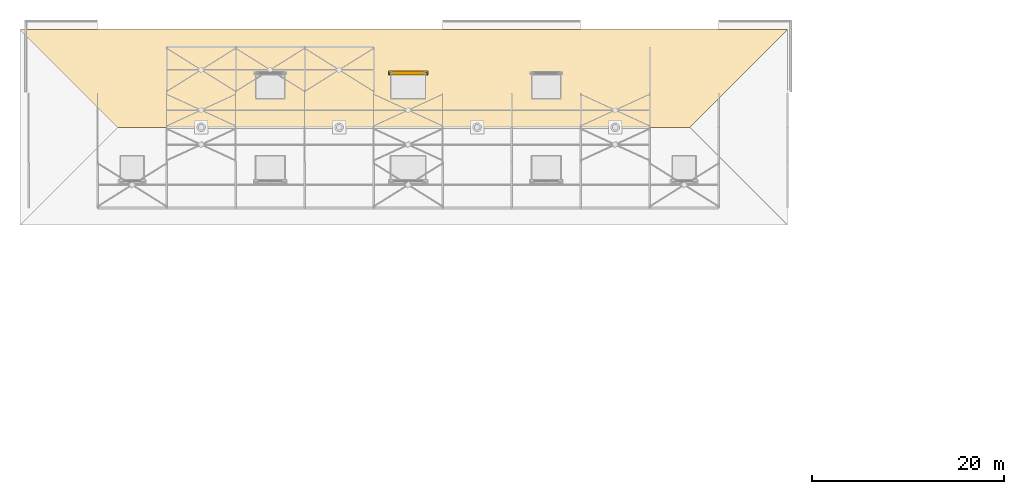
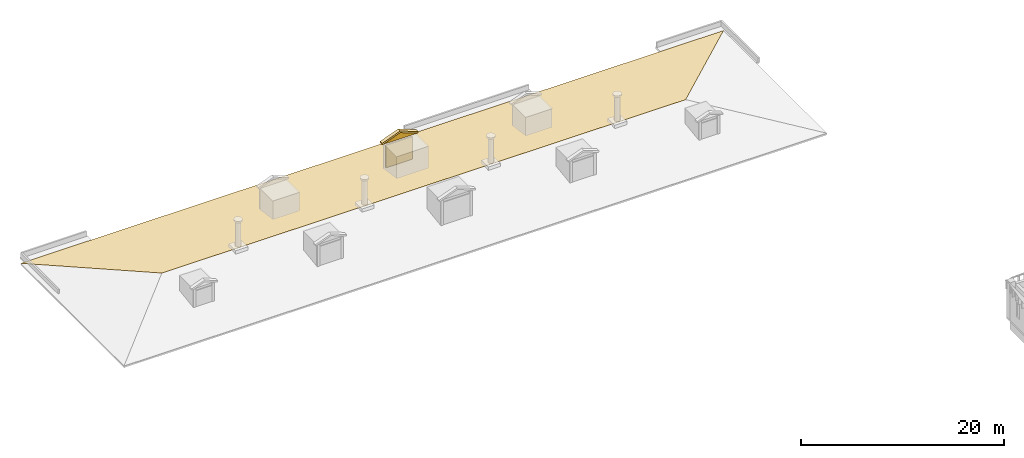
# One storey, part 21 of 24: 3 coverings, 1 shading device.
"""IFC4 building model written with IfcOpenShell, lengths in metres."""

import ifcopenshell
import ifcopenshell.guid

model = None  # the IFC model being written
_history = None  # IfcOwnerHistory: only IFC2X3 demands one
_inside = {}  # id of a spatial element -> (the spatial element, [elements in it])
_under = {}  # id of a project, library or spatial element -> (it, [spatial elements below it])
_declared = {}  # id of a project -> (the project, [libraries it declares])
_typed = {}  # id of a type object -> (the type object, [elements of that type])
_made_of = {}  # id of a material, layer set ... -> (it, [elements and type objects made of it])


def new_model(schema):
    """Start an empty IFC model of exactly this schema.

    Asked for "IFC4X3", IfcOpenShell would pick the latest addendum, in which some entities
    have other attributes; the version numbers below select the first issue.
    IFC2X3 requires an IfcOwnerHistory on every rooted entity: one is made here for all.
    """
    global model, _history
    if schema == "IFC4X3":
        model = ifcopenshell.file(schema_version=(4, 3, 0, 0))
    else:
        model = ifcopenshell.file(schema=schema)
    _inside.clear()
    _under.clear()
    _declared.clear()
    _typed.clear()
    _made_of.clear()
    _history = None
    if model.schema == "IFC2X3":
        org = make("IfcOrganization", Name="unknown")
        user = make(
            "IfcPersonAndOrganization",
            ThePerson=make("IfcPerson", FamilyName="unknown"),
            TheOrganization=org,
        )
        app = make(
            "IfcApplication",
            ApplicationDeveloper=org,
            Version="unknown",
            ApplicationFullName="unknown",
            ApplicationIdentifier="unknown",
        )
        _history = make(
            "IfcOwnerHistory",
            OwningUser=user,
            OwningApplication=app,
            ChangeAction="ADDED",
            CreationDate=0,
        )
    return model


def make(cls, **values):
    """One entity of the class cls with the attributes given. An attribute that is None is left unset."""
    return model.create_entity(
        cls, **{name: value for name, value in values.items() if value is not None}
    )


def rooted(cls, **values):
    """An entity with a GlobalId (a new one), such as an element, a storey or a relation."""
    return make(cls, GlobalId=ifcopenshell.guid.new(), OwnerHistory=_history, **values)


def si_unit(unit_type, name, prefix=None):
    """IfcSIUnit, for example si_unit("LENGTHUNIT", "METRE", prefix="MILLI")."""
    return make("IfcSIUnit", UnitType=unit_type, Prefix=prefix, Name=name)


def assignment(units):
    """IfcUnitAssignment: the units of a project."""
    return None if units is None else make("IfcUnitAssignment", Units=units)


def point(xyz):
    """IfcCartesianPoint."""
    return None if xyz is None else make("IfcCartesianPoint", Coordinates=xyz)


def direction(xyz):
    """IfcDirection."""
    return None if xyz is None else make("IfcDirection", DirectionRatios=xyz)


def frame(location, z_axis=None, x_axis=None):
    """IfcAxis2Placement3D, a coordinate frame: its origin and axes. An axis left out is left unset."""
    return make(
        "IfcAxis2Placement3D",
        Location=point(location),
        Axis=direction(z_axis),
        RefDirection=direction(x_axis),
    )


def frame_2d(location, x_axis=None):
    """IfcAxis2Placement2D, a coordinate frame in the plane: its origin and x axis."""
    return make(
        "IfcAxis2Placement2D", Location=point(location), RefDirection=direction(x_axis)
    )


def origin():
    """The frame at (0, 0, 0) with its axes left unset."""
    return frame((0.0, 0.0, 0.0))


def origin_2d():
    """The frame at (0, 0) in the plane with its x axis left unset."""
    return frame_2d((0.0, 0.0))


def place(relative_to, where):
    """IfcLocalPlacement: puts the frame where relative to a parent placement (None: the world)."""
    return make(
        "IfcLocalPlacement", PlacementRelTo=relative_to, RelativePlacement=where
    )


def context(
    kind, dimensions, precision=None, world=None, true_north=None, identifier=None
):
    """IfcGeometricRepresentationContext, for example the 3D "Model" context."""
    return make(
        "IfcGeometricRepresentationContext",
        ContextIdentifier=identifier,
        ContextType=kind,
        CoordinateSpaceDimension=dimensions,
        Precision=precision,
        WorldCoordinateSystem=world,
        TrueNorth=true_north,
    )


def subcontext(parent, identifier, kind, view, scale=None):
    """IfcGeometricRepresentationSubContext, for example "Body" below "Model"."""
    return make(
        "IfcGeometricRepresentationSubContext",
        ContextIdentifier=identifier,
        ContextType=kind,
        ParentContext=parent,
        TargetScale=scale,
        TargetView=view,
    )


def project(units=None, contexts=None):
    """IfcProject with its units and contexts."""
    return rooted(
        "IfcProject",
        Name="project",
        RepresentationContexts=contexts,
        UnitsInContext=assignment(units),
    )


def spatial(cls, under=None, at=None, **own):
    """A site, building, storey or space (cls), placed at a placement, below another one or the project."""
    s = rooted(cls, ObjectPlacement=at, **own)
    if under is not None:
        _under.setdefault(under.id(), (under, []))[1].append(s)
    return s


def polyline(points):
    """IfcPolyline through the points."""
    return make("IfcPolyline", Points=[point(p) for p in points])


def profile(cls, at=None, kind="AREA", **sizes):
    """A parametric profile (cls). Its sizes go by their IFC names, for example OverallWidth=200.0."""
    return make(cls, ProfileType=kind, Position=at, **sizes)


def rectangle(**sizes):
    """IfcRectangleProfileDef."""
    return profile("IfcRectangleProfileDef", **sizes)


def outline(outer, holes=None, kind="AREA"):
    """IfcArbitraryClosedProfileDef: a profile drawn as a closed curve; with holes, ...WithVoids."""
    if holes is None:
        return make("IfcArbitraryClosedProfileDef", ProfileType=kind, OuterCurve=outer)
    return make(
        "IfcArbitraryProfileDefWithVoids",
        ProfileType=kind,
        OuterCurve=outer,
        InnerCurves=holes,
    )


def extrude(swept, where, along, depth):
    """IfcExtrudedAreaSolid: the profile swept, set in the frame where, extruded along a direction by depth."""
    return make(
        "IfcExtrudedAreaSolid",
        SweptArea=swept,
        Position=where,
        ExtrudedDirection=direction(along),
        Depth=depth,
    )


def shape(context_of_items, identifier, shape_type, items):
    """IfcShapeRepresentation: the items that make up one representation, for example the "Body"."""
    return make(
        "IfcShapeRepresentation",
        ContextOfItems=context_of_items,
        RepresentationIdentifier=identifier,
        RepresentationType=shape_type,
        Items=items,
    )


def material(Name=None, Category=None):
    """IfcMaterial."""
    return make("IfcMaterial", Name=Name, Category=Category)


def layer(
    of_material, thickness, ventilated=None, Name=None, Category=None, Priority=None
):
    """IfcMaterialLayer: one layer of a wall or slab, of a material (None: an air gap)."""
    return make(
        "IfcMaterialLayer",
        Material=of_material,
        LayerThickness=thickness,
        IsVentilated=ventilated,
        Name=Name,
        Category=Category,
        Priority=Priority,
    )


def layer_set(layers, Name=None):
    """IfcMaterialLayerSet."""
    return make("IfcMaterialLayerSet", MaterialLayers=layers, LayerSetName=Name)


def made_of(thing, what):
    """Note that an element or type object is made of a material, layer set ...; save() writes the relation."""
    if what is not None:
        _made_of.setdefault(what.id(), (what, []))[1].append(thing)
    return thing


def type_object(cls, material=None, **own):
    """A type object (cls), such as IfcWallType, which elements share."""
    return made_of(rooted(cls, **own), material)


def element(
    cls,
    number,
    at=None,
    inside=None,
    cuts=None,
    type_object=None,
    material=None,
    context=None,
    identifier="Body",
    shape_type=None,
    held_by="IfcProductDefinitionShape",
    body=None,
    shapes=None,
    **own,
):
    """One element of the class cls, such as IfcWall. Its Tag is "e" and its number.

    at: its placement. inside: the storey or other place that contains it. cuts: it is an
    opening in that element (IfcRelVoidsElement). A single representation is given by context,
    identifier, shape_type and body (its items); several are given by shapes. held_by: the class
    of the entity that holds the representations. save() writes the other relations.
    """
    e = rooted(cls, Tag="e%d" % number, ObjectPlacement=at, **own)
    if body is not None:
        shapes = [shape(context, identifier, shape_type, body)]
    if shapes is not None:
        e.Representation = make(held_by, Representations=shapes)
    if inside is not None:
        _inside.setdefault(inside.id(), (inside, []))[1].append(e)
    if cuts is not None:
        rooted(
            "IfcRelVoidsElement", RelatingBuildingElement=cuts, RelatedOpeningElement=e
        )
    if type_object is not None:
        _typed.setdefault(type_object.id(), (type_object, []))[1].append(e)
    return made_of(e, material)


def aggregate(whole, parts):
    """IfcRelAggregates: a whole, such as a stair, and the parts it consists of."""
    return rooted("IfcRelAggregates", RelatingObject=whole, RelatedObjects=parts)


def save(model, path):
    """Write the relations noted so far, then the file.

    IfcRelAggregates (storeys below a building ...), IfcRelContainedInSpatialStructure (elements
    in a storey), IfcRelDefinesByType, IfcRelAssociatesMaterial and IfcRelDeclares: one each for
    every whole, place, type object, material and project.
    """
    for whole, parts in _under.values():
        aggregate(whole, parts)
    for where, things in _inside.values():
        rooted(
            "IfcRelContainedInSpatialStructure",
            RelatedElements=things,
            RelatingStructure=where,
        )
    for kind, things in _typed.values():
        rooted("IfcRelDefinesByType", RelatedObjects=things, RelatingType=kind)
    for what, things in _made_of.values():
        rooted("IfcRelAssociatesMaterial", RelatedObjects=things, RelatingMaterial=what)
    for by, libraries in _declared.values():
        rooted("IfcRelDeclares", RelatingContext=by, RelatedDefinitions=libraries)
    model.write(path)


model = new_model("IFC4")

# Units and contexts
model_context = context("Model", 3, precision=1e-05, world=origin(), true_north=direction((0.0, 1.0)))
body_context = subcontext(model_context, "Body", "Model", "MODEL_VIEW")
ifc_project = project(units=[si_unit("LENGTHUNIT", "METRE"), si_unit("AREAUNIT", "SQUARE_METRE"), si_unit("VOLUMEUNIT", "CUBIC_METRE"), si_unit("PLANEANGLEUNIT", "RADIAN"), si_unit("MASSUNIT", "GRAM", prefix="KILO")], contexts=[model_context])

# Site, building, storey
site_placement = place(None, origin())
site = spatial("IfcSite", under=ifc_project, at=site_placement, CompositionType="ELEMENT")
building_placement = place(site_placement, origin())
building = spatial("IfcBuilding", under=site, at=building_placement, Name="Ussher Court Research Institute", CompositionType="ELEMENT")
storey_placement = place(building_placement, frame((0.0, 0.0, 32.39990234375)))
storey = spatial("IfcBuildingStorey", under=building, at=storey_placement, Name="L07", CompositionType="ELEMENT", Elevation=32.39990234375)

# Coverings
ifc_material_1 = material(Name="Limestone cornice", Category="masonry")
covering_type_1 = type_object("IfcCoveringType", Name="Dormer raking cornice 4120", PredefinedType="CLADDING", material=ifc_material_1)
covering_1_placement = place(storey_placement, frame((42.60009765625, 85.0400390625, 3.7470703125), z_axis=(0.0, 1.0, 0.0), x_axis=(-1.0, 0.0, 0.0)))
element("IfcCovering", 1, at=covering_1_placement, inside=storey, type_object=covering_type_1, Name="Dormer rake DR36 N2", PredefinedType="CLADDING", context=body_context, shape_type="SweptSolid", body=[
    extrude(outline(polyline([(2.06005859375, 0.0), (2.06005859375, 0.154296875), (0.0, 0.937255859375), (-2.06005859375, 0.154296875), (-2.06005859375, 0.0), (-1.93994140625, 0.0), (0.0, 0.7373046875), (1.93994140625, 0.0), (2.06005859375, 0.0)])), origin(), (0.0, 0.0, 1.0), 0.419921875),
])
ifc_material_2 = material(Name="Limestone cornice", Category="masonry")
covering_type_2 = type_object("IfcCoveringType", Name="Dormer tympanum 3880x737", PredefinedType="CLADDING", material=ifc_material_2)
covering_2_placement = place(storey_placement, frame((42.60009765625, 85.0400390625, 3.7470703125), z_axis=(0.0, 1.0, 0.0), x_axis=(-1.0, 0.0, 0.0)))
element("IfcCovering", 2, at=covering_2_placement, inside=storey, type_object=covering_type_2, Name="Dormer tymp DT36 N2", PredefinedType="CLADDING", context=body_context, shape_type="SweptSolid", body=[
    extrude(outline(polyline([(1.93994140625, 0.0), (0.0, 0.7373046875), (-1.93994140625, 0.0), (1.93994140625, 0.0)])), origin(), (0.0, 0.0, 1.0), 0.300048828125),
])

# Shading device
ifc_material_3 = material(Name="Aluminium louvre", Category="aluminium")
ifc_layer_1 = layer(ifc_material_3, 0.10009765625)
ifc_layer_set_1 = layer_set([ifc_layer_1], Name="Aluminium louvre")
shading_device_type = type_object("IfcShadingDeviceType", Name="Dormer vent louvre 3000x2700", PredefinedType="USERDEFINED", material=ifc_layer_set_1)
shading_device_placement = place(storey_placement, frame((42.60009765625, 85.25, 0.6728515625), z_axis=(0.0, 0.0, 1.0), x_axis=(1.0, 0.0, 0.0)))
element("IfcShadingDevice", 3, at=shading_device_placement, inside=storey, type_object=shading_device_type, Name="Dormer vent louvre DL36 N2", ObjectType="LOUVRE", PredefinedType="USERDEFINED", context=body_context, shape_type="SweptSolid", body=[
    extrude(rectangle(XDim=3.0, YDim=0.10009765625, at=origin_2d()), origin(), (0.0, 0.0, 1.0), 2.714111328125),
])

# Covering
ifc_material_4 = material(Name="Zinc standing seam")
ifc_layer_2 = layer(ifc_material_4, 0.0400390625)
ifc_layer_set_2 = layer_set([ifc_layer_2], Name="Zinc standing seam")
covering_type_3 = type_object("IfcCoveringType", Name="Standing seam zinc covering 40", PredefinedType="ROOFING", material=ifc_layer_set_2)
covering_3_placement = place(storey_placement, frame((82.199951171875, 89.800048828125, 0.04052734375), z_axis=(0.0, 0.139157864072, 0.990270210027), x_axis=(-1.0, 0.0, 0.0)))
element("IfcCovering", 4, at=covering_3_placement, inside=storey, type_object=covering_type_3, Name="Roof covering RC1 V5", PredefinedType="ROOFING", context=body_context, shape_type="SweptSolid", body=[
    extrude(outline(polyline([(0.0, 0.0), (80.099853515625, 0.0), (69.89990234375, 10.300169659346862), (10.199951171875, 10.300169659346862), (0.0, 0.0)])), origin(), (0.0, 0.0, -1.0), 0.0400390625),
])

save(model, "model.ifc")
